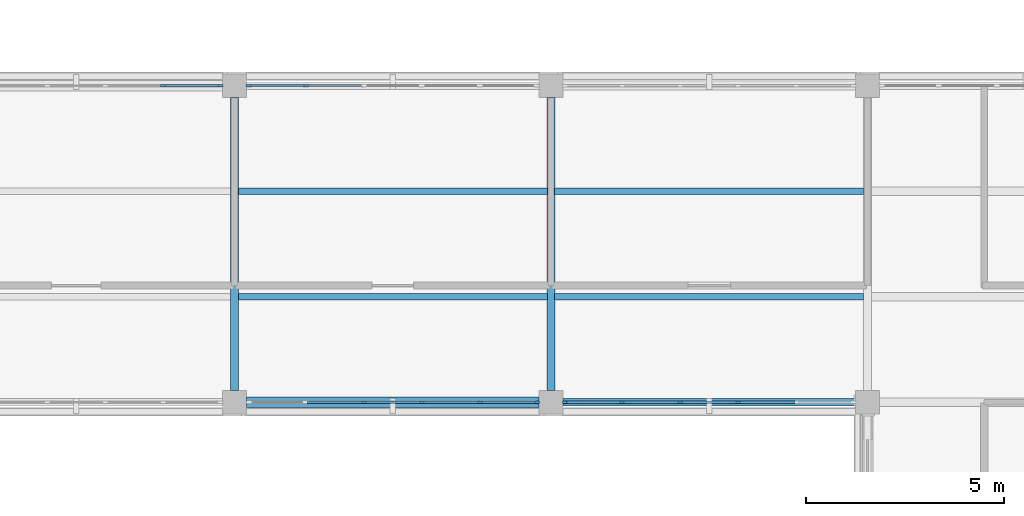
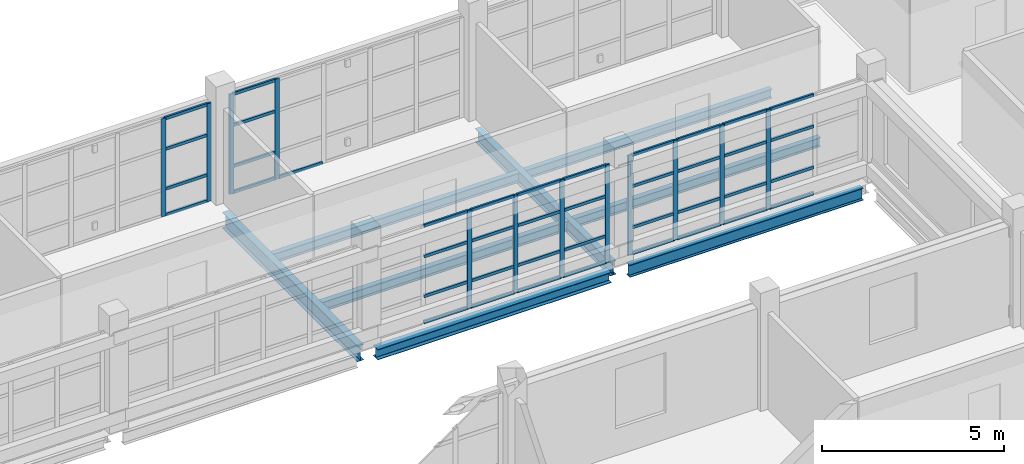
# One storey, part 53 of 126: 53 members, 8 beams, 4 elements without a shape of their own.
"""IFC4 building model written with IfcOpenShell, lengths in metres."""

import ifcopenshell
import ifcopenshell.guid

model = None  # the IFC model being written
_history = None  # IfcOwnerHistory: only IFC2X3 demands one
_inside = {}  # id of a spatial element -> (the spatial element, [elements in it])
_under = {}  # id of a project, library or spatial element -> (it, [spatial elements below it])
_declared = {}  # id of a project -> (the project, [libraries it declares])
_typed = {}  # id of a type object -> (the type object, [elements of that type])
_made_of = {}  # id of a material, layer set ... -> (it, [elements and type objects made of it])


def new_model(schema):
    """Start an empty IFC model of exactly this schema.

    Asked for "IFC4X3", IfcOpenShell would pick the latest addendum, in which some entities
    have other attributes; the version numbers below select the first issue.
    IFC2X3 requires an IfcOwnerHistory on every rooted entity: one is made here for all.
    """
    global model, _history
    if schema == "IFC4X3":
        model = ifcopenshell.file(schema_version=(4, 3, 0, 0))
    else:
        model = ifcopenshell.file(schema=schema)
    _inside.clear()
    _under.clear()
    _declared.clear()
    _typed.clear()
    _made_of.clear()
    _history = None
    if model.schema == "IFC2X3":
        org = make("IfcOrganization", Name="unknown")
        user = make(
            "IfcPersonAndOrganization",
            ThePerson=make("IfcPerson", FamilyName="unknown"),
            TheOrganization=org,
        )
        app = make(
            "IfcApplication",
            ApplicationDeveloper=org,
            Version="unknown",
            ApplicationFullName="unknown",
            ApplicationIdentifier="unknown",
        )
        _history = make(
            "IfcOwnerHistory",
            OwningUser=user,
            OwningApplication=app,
            ChangeAction="ADDED",
            CreationDate=0,
        )
    return model


def make(cls, **values):
    """One entity of the class cls with the attributes given. An attribute that is None is left unset."""
    return model.create_entity(
        cls, **{name: value for name, value in values.items() if value is not None}
    )


def rooted(cls, **values):
    """An entity with a GlobalId (a new one), such as an element, a storey or a relation."""
    return make(cls, GlobalId=ifcopenshell.guid.new(), OwnerHistory=_history, **values)


def si_unit(unit_type, name, prefix=None):
    """IfcSIUnit, for example si_unit("LENGTHUNIT", "METRE", prefix="MILLI")."""
    return make("IfcSIUnit", UnitType=unit_type, Prefix=prefix, Name=name)


def derived_unit(unit_type, elements):
    """IfcDerivedUnit: a product of units, each with its exponent."""
    return make(
        "IfcDerivedUnit",
        Elements=[
            make("IfcDerivedUnitElement", Unit=unit, Exponent=power)
            for unit, power in elements
        ],
        UnitType=unit_type,
    )


def assignment(units):
    """IfcUnitAssignment: the units of a project."""
    return None if units is None else make("IfcUnitAssignment", Units=units)


def point(xyz):
    """IfcCartesianPoint."""
    return None if xyz is None else make("IfcCartesianPoint", Coordinates=xyz)


def direction(xyz):
    """IfcDirection."""
    return None if xyz is None else make("IfcDirection", DirectionRatios=xyz)


def frame(location, z_axis=None, x_axis=None):
    """IfcAxis2Placement3D, a coordinate frame: its origin and axes. An axis left out is left unset."""
    return make(
        "IfcAxis2Placement3D",
        Location=point(location),
        Axis=direction(z_axis),
        RefDirection=direction(x_axis),
    )


def frame_2d(location, x_axis=None):
    """IfcAxis2Placement2D, a coordinate frame in the plane: its origin and x axis."""
    return make(
        "IfcAxis2Placement2D", Location=point(location), RefDirection=direction(x_axis)
    )


def origin():
    """The frame at (0, 0, 0) with its axes left unset."""
    return frame((0.0, 0.0, 0.0))


def origin_2d():
    """The frame at (0, 0) in the plane with its x axis left unset."""
    return frame_2d((0.0, 0.0))


def place(relative_to, where):
    """IfcLocalPlacement: puts the frame where relative to a parent placement (None: the world)."""
    return make(
        "IfcLocalPlacement", PlacementRelTo=relative_to, RelativePlacement=where
    )


def context(
    kind, dimensions, precision=None, world=None, true_north=None, identifier=None
):
    """IfcGeometricRepresentationContext, for example the 3D "Model" context."""
    return make(
        "IfcGeometricRepresentationContext",
        ContextIdentifier=identifier,
        ContextType=kind,
        CoordinateSpaceDimension=dimensions,
        Precision=precision,
        WorldCoordinateSystem=world,
        TrueNorth=true_north,
    )


def subcontext(parent, identifier, kind, view, scale=None):
    """IfcGeometricRepresentationSubContext, for example "Body" below "Model"."""
    return make(
        "IfcGeometricRepresentationSubContext",
        ContextIdentifier=identifier,
        ContextType=kind,
        ParentContext=parent,
        TargetScale=scale,
        TargetView=view,
    )


def project(units=None, contexts=None):
    """IfcProject with its units and contexts."""
    return rooted(
        "IfcProject",
        Name="project",
        RepresentationContexts=contexts,
        UnitsInContext=assignment(units),
    )


def spatial(cls, under=None, at=None, **own):
    """A site, building, storey or space (cls), placed at a placement, below another one or the project."""
    s = rooted(cls, ObjectPlacement=at, **own)
    if under is not None:
        _under.setdefault(under.id(), (under, []))[1].append(s)
    return s


def profile(cls, at=None, kind="AREA", **sizes):
    """A parametric profile (cls). Its sizes go by their IFC names, for example OverallWidth=200.0."""
    return make(cls, ProfileType=kind, Position=at, **sizes)


def rectangle(**sizes):
    """IfcRectangleProfileDef."""
    return profile("IfcRectangleProfileDef", **sizes)


def i_section(**sizes):
    """IfcIShapeProfileDef."""
    return profile("IfcIShapeProfileDef", **sizes)


def extrude(swept, where, along, depth):
    """IfcExtrudedAreaSolid: the profile swept, set in the frame where, extruded along a direction by depth."""
    return make(
        "IfcExtrudedAreaSolid",
        SweptArea=swept,
        Position=where,
        ExtrudedDirection=direction(along),
        Depth=depth,
    )


def shape(context_of_items, identifier, shape_type, items):
    """IfcShapeRepresentation: the items that make up one representation, for example the "Body"."""
    return make(
        "IfcShapeRepresentation",
        ContextOfItems=context_of_items,
        RepresentationIdentifier=identifier,
        RepresentationType=shape_type,
        Items=items,
    )


def material(Name=None, Category=None):
    """IfcMaterial."""
    return make("IfcMaterial", Name=Name, Category=Category)


def layer(
    of_material, thickness, ventilated=None, Name=None, Category=None, Priority=None
):
    """IfcMaterialLayer: one layer of a wall or slab, of a material (None: an air gap)."""
    return make(
        "IfcMaterialLayer",
        Material=of_material,
        LayerThickness=thickness,
        IsVentilated=ventilated,
        Name=Name,
        Category=Category,
        Priority=Priority,
    )


def layer_set(layers, Name=None):
    """IfcMaterialLayerSet."""
    return make("IfcMaterialLayerSet", MaterialLayers=layers, LayerSetName=Name)


def material_profile(
    of_material, cross_section, Name=None, Category=None, Priority=None
):
    """IfcMaterialProfile: a cross section and its material."""
    return make(
        "IfcMaterialProfile",
        Name=Name,
        Material=of_material,
        Profile=cross_section,
        Priority=Priority,
        Category=Category,
    )


def profile_set(profiles, Name=None, composite=None):
    """IfcMaterialProfileSet."""
    return make(
        "IfcMaterialProfileSet",
        Name=Name,
        MaterialProfiles=profiles,
        CompositeProfile=composite,
    )


def made_of(thing, what):
    """Note that an element or type object is made of a material, layer set ...; save() writes the relation."""
    if what is not None:
        _made_of.setdefault(what.id(), (what, []))[1].append(thing)
    return thing


def type_object(cls, material=None, **own):
    """A type object (cls), such as IfcWallType, which elements share."""
    return made_of(rooted(cls, **own), material)


def element(
    cls,
    number,
    at=None,
    inside=None,
    cuts=None,
    type_object=None,
    material=None,
    context=None,
    identifier="Body",
    shape_type=None,
    held_by="IfcProductDefinitionShape",
    body=None,
    shapes=None,
    **own,
):
    """One element of the class cls, such as IfcWall. Its Tag is "e" and its number.

    at: its placement. inside: the storey or other place that contains it. cuts: it is an
    opening in that element (IfcRelVoidsElement). A single representation is given by context,
    identifier, shape_type and body (its items); several are given by shapes. held_by: the class
    of the entity that holds the representations. save() writes the other relations.
    """
    e = rooted(cls, Tag="e%d" % number, ObjectPlacement=at, **own)
    if body is not None:
        shapes = [shape(context, identifier, shape_type, body)]
    if shapes is not None:
        e.Representation = make(held_by, Representations=shapes)
    if inside is not None:
        _inside.setdefault(inside.id(), (inside, []))[1].append(e)
    if cuts is not None:
        rooted(
            "IfcRelVoidsElement", RelatingBuildingElement=cuts, RelatedOpeningElement=e
        )
    if type_object is not None:
        _typed.setdefault(type_object.id(), (type_object, []))[1].append(e)
    return made_of(e, material)


def aggregate(whole, parts):
    """IfcRelAggregates: a whole, such as a stair, and the parts it consists of."""
    return rooted("IfcRelAggregates", RelatingObject=whole, RelatedObjects=parts)


def save(model, path):
    """Write the relations noted so far, then the file.

    IfcRelAggregates (storeys below a building ...), IfcRelContainedInSpatialStructure (elements
    in a storey), IfcRelDefinesByType, IfcRelAssociatesMaterial and IfcRelDeclares: one each for
    every whole, place, type object, material and project.
    """
    for whole, parts in _under.values():
        aggregate(whole, parts)
    for where, things in _inside.values():
        rooted(
            "IfcRelContainedInSpatialStructure",
            RelatedElements=things,
            RelatingStructure=where,
        )
    for kind, things in _typed.values():
        rooted("IfcRelDefinesByType", RelatedObjects=things, RelatingType=kind)
    for what, things in _made_of.values():
        rooted("IfcRelAssociatesMaterial", RelatedObjects=things, RelatingMaterial=what)
    for by, libraries in _declared.values():
        rooted("IfcRelDeclares", RelatingContext=by, RelatedDefinitions=libraries)
    model.write(path)


model = new_model("IFC4")

# Units and contexts
model_context = context("Model", 3, precision=1e-05, world=origin(), true_north=direction((0.0, 1.0)))
body_context = subcontext(model_context, "Body", "Model", "MODEL_VIEW")
ifc_project = project(units=[si_unit("LENGTHUNIT", "METRE"), si_unit("AREAUNIT", "SQUARE_METRE"), si_unit("VOLUMEUNIT", "CUBIC_METRE"), si_unit("PLANEANGLEUNIT", "RADIAN"), si_unit("MASSUNIT", "GRAM", prefix="KILO"), derived_unit("THERMALTRANSMITTANCEUNIT", [(si_unit("MASSUNIT", "GRAM", prefix="KILO"), 1), (si_unit("TIMEUNIT", "SECOND"), -3), (si_unit("THERMODYNAMICTEMPERATUREUNIT", "KELVIN"), -1)])], contexts=[model_context])

# Site, building, storey
site_placement = place(None, origin())
site = spatial("IfcSite", under=ifc_project, at=site_placement, CompositionType="ELEMENT")
building_placement = place(site_placement, origin())
building = spatial("IfcBuilding", under=site, at=building_placement, Name="Veyamyaing Civic Hall", CompositionType="ELEMENT")
storey_placement = place(building_placement, frame((0.0, 0.0, 9.89990234375)))
storey = spatial("IfcBuildingStorey", under=building, at=storey_placement, Name="L02", CompositionType="ELEMENT", Elevation=9.89990234375)

# Beams
ifc_material_1 = material(Name="Steel ASTM A992", Category="steel")
ifc_material_profile_1 = material_profile(ifc_material_1, i_section(OverallWidth=0.208984375, OverallDepth=0.532958984375, WebThickness=0.01025390625, FlangeThickness=0.015625, FilletRadius=0.011962890625, at=origin_2d()), Name="W530X92")
ifc_profile_set_1 = profile_set([ifc_material_profile_1], Name="Steel ASTM A992")
beam_type_1 = type_object("IfcBeamType", Name="B-07", PredefinedType="BEAM", material=ifc_profile_set_1)
beam_1_placement = place(storey_placement, frame((144.0, 48.300048828125, -0.551513671875), z_axis=(0.0, 1.0, 0.0), x_axis=(-1.0, 0.0, 0.0)))
element("IfcBeam", 1, at=beam_1_placement, inside=storey, type_object=beam_type_1, Name="Girder B-07 L02 Grid 19 G-H", PredefinedType="BEAM", context=body_context, shape_type="SweptSolid", body=[
    extrude(i_section(OverallWidth=0.208984375, OverallDepth=0.532958984375, WebThickness=0.01025390625, FlangeThickness=0.015625, FilletRadius=0.011962890625, at=origin_2d()), origin(), (0.0, 0.0, 1.0), 7.39990234375),
])
ifc_material_profile_2 = material_profile(ifc_material_1, i_section(OverallWidth=0.19189453125, OverallDepth=0.462890625, WebThickness=0.010498046875, FlangeThickness=0.017578125, FilletRadius=0.010009765625, at=origin_2d()), Name="W460X89")
ifc_profile_set_2 = profile_set([ifc_material_profile_2], Name="Steel ASTM A992")
beam_type_2 = type_object("IfcBeamType", Name="B-08", PredefinedType="BEAM", material=ifc_profile_set_2)
beam_2_placement = place(storey_placement, frame((152.0, 48.300048828125, -0.516357421875), z_axis=(0.0, 1.0, 0.0), x_axis=(-1.0, 0.0, 0.0)))
element("IfcBeam", 2, at=beam_2_placement, inside=storey, type_object=beam_type_2, Name="Girder B-08 L02 Grid 20 G-H", PredefinedType="BEAM", context=body_context, shape_type="SweptSolid", body=[
    extrude(i_section(OverallWidth=0.19189453125, OverallDepth=0.462890625, WebThickness=0.010498046875, FlangeThickness=0.017578125, FilletRadius=0.010009765625, at=origin_2d()), origin(), (0.0, 0.0, 1.0), 7.39990234375),
])
ifc_material_profile_3 = material_profile(ifc_material_1, i_section(OverallWidth=0.179931640625, OverallDepth=0.4130859375, WebThickness=0.009765625, FlangeThickness=0.01611328125, FilletRadius=0.010009765625, at=origin_2d()), Name="W410X74")
ifc_profile_set_3 = profile_set([ifc_material_profile_3], Name="Steel ASTM A992")
beam_type_3 = type_object("IfcBeamType", Name="B-10", PredefinedType="SPANDREL", material=ifc_profile_set_3)
beam_3_placement = place(storey_placement, frame((152.300048828125, 48.0, -0.491455078125), z_axis=(1.0, 0.0, 0.0), x_axis=(0.0, 1.0, 0.0)))
element("IfcBeam", 3, at=beam_3_placement, inside=storey, type_object=beam_type_3, Name="Girder B-10 L02 Grid G 20-21", PredefinedType="SPANDREL", context=body_context, shape_type="SweptSolid", body=[
    extrude(i_section(OverallWidth=0.179931640625, OverallDepth=0.4130859375, WebThickness=0.009765625, FlangeThickness=0.01611328125, FilletRadius=0.010009765625, at=origin_2d()), origin(), (0.0, 0.0, 1.0), 7.39990234375),
])
ifc_material_profile_4 = material_profile(ifc_material_1, i_section(OverallWidth=0.25390625, OverallDepth=0.35302734375, WebThickness=0.009521484375, FlangeThickness=0.016357421875, FilletRadius=0.011962890625, at=origin_2d()), Name="W360X91")
ifc_profile_set_4 = profile_set([ifc_material_profile_4], Name="Steel ASTM A992")
beam_type_4 = type_object("IfcBeamType", Name="B-20", PredefinedType="SPANDREL", material=ifc_profile_set_4)
beam_4_placement = place(storey_placement, frame((144.300048828125, 48.0, -0.46142578125), z_axis=(1.0, 0.0, 0.0), x_axis=(0.0, 1.0, 0.0)))
element("IfcBeam", 4, at=beam_4_placement, inside=storey, type_object=beam_type_4, Name="Girder B-20 L02 Grid G 19-20", PredefinedType="SPANDREL", context=body_context, shape_type="SweptSolid", body=[
    extrude(i_section(OverallWidth=0.25390625, OverallDepth=0.35302734375, WebThickness=0.009521484375, FlangeThickness=0.016357421875, FilletRadius=0.011962890625, at=origin_2d()), origin(), (0.0, 0.0, 1.0), 7.39990234375),
])

# Curtain wall, members
ifc_material_2 = material(Name="Anodised aluminium 6063-T6", Category="aluminium")
ifc_layer = layer(ifc_material_2, 0.139892578125, Name="Anodised aluminium 6063-T6")
ifc_layer_set = layer_set([ifc_layer], Name="Anodised aluminium 6063-T6")
curtain_wall_type = type_object("IfcCurtainWallType", Name="CW-04", PredefinedType="NOTDEFINED", material=ifc_layer_set)
curtain_wall_1_placement = place(storey_placement, origin())
curtain_wall_1 = element("IfcCurtainWall", 5, at=curtain_wall_1_placement, inside=storey, type_object=curtain_wall_type, Name="Unitized curtain wall CW-04 L02 N 18.7", PredefinedType="NOTDEFINED")
ifc_material_profile_5 = material_profile(ifc_material_2, rectangle(XDim=0.06005859375, YDim=0.139892578125, at=origin_2d()), Name="ALU-MUL-60X140")
ifc_profile_set_5 = profile_set([ifc_material_profile_5], Name="Anodised aluminium 6063-T6")
member_type_1 = type_object("IfcMemberType", Name="CWM-03", PredefinedType="MULLION", material=ifc_profile_set_5)
member_1_placement = place(storey_placement, frame((142.201904296875, 56.0, 0.0), z_axis=(0.0, 0.0, 1.0), x_axis=(0.0, 1.0, 0.0)))
member_1 = element("IfcMember", 6, at=member_1_placement, type_object=member_type_1, Name="CW-04 mullion 5", PredefinedType="MULLION", context=body_context, shape_type="SweptSolid", body=[
    extrude(rectangle(XDim=0.06005859375, YDim=0.139892578125, at=origin_2d()), origin(), (0.0, 0.0, 1.0), 3.2841796875),
])
member_2_placement = place(storey_placement, frame((143.639892578125, 56.0, 0.0), z_axis=(0.0, 0.0, 1.0), x_axis=(0.0, 1.0, 0.0)))
member_2 = element("IfcMember", 7, at=member_2_placement, type_object=member_type_1, Name="CW-04 mullion 6", PredefinedType="MULLION", context=body_context, shape_type="SweptSolid", body=[
    extrude(rectangle(XDim=0.06005859375, YDim=0.139892578125, at=origin_2d()), origin(), (0.0, 0.0, 1.0), 3.2841796875),
])

curtain_wall_2_placement = place(storey_placement, origin())
curtain_wall_2 = element("IfcCurtainWall", 8, at=curtain_wall_2_placement, inside=storey, type_object=curtain_wall_type, Name="Unitized curtain wall CW-04 L02 S 19.7", PredefinedType="NOTDEFINED")
member_3_placement = place(storey_placement, frame((147.26611328125, 48.0, 0.0), z_axis=(0.0, 0.0, 1.0), x_axis=(0.0, 1.0, 0.0)))
member_3 = element("IfcMember", 9, at=member_3_placement, type_object=member_type_1, Name="CW-04 mullion 3", PredefinedType="MULLION", context=body_context, shape_type="SweptSolid", body=[
    extrude(rectangle(XDim=0.06005859375, YDim=0.139892578125, at=origin_2d()), origin(), (0.0, 0.0, 1.0), 3.2841796875),
])
member_4_placement = place(storey_placement, frame((148.73388671875, 48.0, 0.0), z_axis=(0.0, 0.0, 1.0), x_axis=(0.0, 1.0, 0.0)))
member_4 = element("IfcMember", 10, at=member_4_placement, type_object=member_type_1, Name="CW-04 mullion 4", PredefinedType="MULLION", context=body_context, shape_type="SweptSolid", body=[
    extrude(rectangle(XDim=0.06005859375, YDim=0.139892578125, at=origin_2d()), origin(), (0.0, 0.0, 1.0), 3.2841796875),
])
member_5_placement = place(storey_placement, frame((150.201904296875, 48.0, 0.0), z_axis=(0.0, 0.0, 1.0), x_axis=(0.0, 1.0, 0.0)))
member_5 = element("IfcMember", 11, at=member_5_placement, type_object=member_type_1, Name="CW-04 mullion 5", PredefinedType="MULLION", context=body_context, shape_type="SweptSolid", body=[
    extrude(rectangle(XDim=0.06005859375, YDim=0.139892578125, at=origin_2d()), origin(), (0.0, 0.0, 1.0), 3.2841796875),
])
member_6_placement = place(storey_placement, frame((151.639892578125, 48.0, 0.0), z_axis=(0.0, 0.0, 1.0), x_axis=(0.0, 1.0, 0.0)))
member_6 = element("IfcMember", 12, at=member_6_placement, type_object=member_type_1, Name="CW-04 mullion 6", PredefinedType="MULLION", context=body_context, shape_type="SweptSolid", body=[
    extrude(rectangle(XDim=0.06005859375, YDim=0.139892578125, at=origin_2d()), origin(), (0.0, 0.0, 1.0), 3.2841796875),
])

curtain_wall_3_placement = place(storey_placement, origin())
curtain_wall_3 = element("IfcCurtainWall", 13, at=curtain_wall_3_placement, inside=storey, type_object=curtain_wall_type, Name="Unitized curtain wall CW-04 L02 N 19.7", PredefinedType="NOTDEFINED")
member_7_placement = place(storey_placement, frame((144.360107421875, 56.0, 0.0), z_axis=(0.0, 0.0, 1.0), x_axis=(0.0, 1.0, 0.0)))
member_7 = element("IfcMember", 14, at=member_7_placement, type_object=member_type_1, Name="CW-04 mullion 1", PredefinedType="MULLION", context=body_context, shape_type="SweptSolid", body=[
    extrude(rectangle(XDim=0.06005859375, YDim=0.139892578125, at=origin_2d()), origin(), (0.0, 0.0, 1.0), 3.34716796875),
])
member_8_placement = place(storey_placement, frame((145.798095703125, 56.0, 0.0), z_axis=(0.0, 0.0, 1.0), x_axis=(0.0, 1.0, 0.0)))
member_8 = element("IfcMember", 15, at=member_8_placement, type_object=member_type_1, Name="CW-04 mullion 2", PredefinedType="MULLION", context=body_context, shape_type="SweptSolid", body=[
    extrude(rectangle(XDim=0.06005859375, YDim=0.139892578125, at=origin_2d()), origin(), (0.0, 0.0, 1.0), 3.34716796875),
])

curtain_wall_4_placement = place(storey_placement, origin())
curtain_wall_4 = element("IfcCurtainWall", 16, at=curtain_wall_4_placement, inside=storey, type_object=curtain_wall_type, Name="Unitized curtain wall CW-04 L02 S 20.7", PredefinedType="NOTDEFINED")
member_9_placement = place(storey_placement, frame((152.360107421875, 48.0, 0.0), z_axis=(0.0, 0.0, 1.0), x_axis=(0.0, 1.0, 0.0)))
member_9 = element("IfcMember", 17, at=member_9_placement, type_object=member_type_1, Name="CW-04 mullion 1", PredefinedType="MULLION", context=body_context, shape_type="SweptSolid", body=[
    extrude(rectangle(XDim=0.06005859375, YDim=0.139892578125, at=origin_2d()), origin(), (0.0, 0.0, 1.0), 3.34716796875),
])
member_10_placement = place(storey_placement, frame((153.798095703125, 48.0, 0.0), z_axis=(0.0, 0.0, 1.0), x_axis=(0.0, 1.0, 0.0)))
member_10 = element("IfcMember", 18, at=member_10_placement, type_object=member_type_1, Name="CW-04 mullion 2", PredefinedType="MULLION", context=body_context, shape_type="SweptSolid", body=[
    extrude(rectangle(XDim=0.06005859375, YDim=0.139892578125, at=origin_2d()), origin(), (0.0, 0.0, 1.0), 3.34716796875),
])
member_11_placement = place(storey_placement, frame((155.26611328125, 48.0, 0.0), z_axis=(0.0, 0.0, 1.0), x_axis=(0.0, 1.0, 0.0)))
member_11 = element("IfcMember", 19, at=member_11_placement, type_object=member_type_1, Name="CW-04 mullion 3", PredefinedType="MULLION", context=body_context, shape_type="SweptSolid", body=[
    extrude(rectangle(XDim=0.06005859375, YDim=0.139892578125, at=origin_2d()), origin(), (0.0, 0.0, 1.0), 3.34716796875),
])
member_12_placement = place(storey_placement, frame((156.73388671875, 48.0, 0.0), z_axis=(0.0, 0.0, 1.0), x_axis=(0.0, 1.0, 0.0)))
member_12 = element("IfcMember", 20, at=member_12_placement, type_object=member_type_1, Name="CW-04 mullion 4", PredefinedType="MULLION", context=body_context, shape_type="SweptSolid", body=[
    extrude(rectangle(XDim=0.06005859375, YDim=0.139892578125, at=origin_2d()), origin(), (0.0, 0.0, 1.0), 3.34716796875),
])

# Member
ifc_material_profile_6 = material_profile(ifc_material_2, rectangle(XDim=0.06005859375, YDim=0.10009765625, at=origin_2d()), Name="ALU-TRN-60X100")
ifc_profile_set_6 = profile_set([ifc_material_profile_6], Name="Anodised aluminium 6063-T6")
member_type_2 = type_object("IfcMemberType", Name="CWT-03", PredefinedType="USERDEFINED", material=ifc_profile_set_6)
member_13_placement = place(storey_placement, frame((142.23193359375, 56.0, 0.030029296875), z_axis=(1.0, 0.0, 0.0), x_axis=(0.0, 1.0, 0.0)))
member_13 = element("IfcMember", 21, at=member_13_placement, type_object=member_type_2, Name="CW-04 transom 5.1", ObjectType="TRANSOM", PredefinedType="USERDEFINED", context=body_context, shape_type="SweptSolid", body=[
    extrude(rectangle(XDim=0.06005859375, YDim=0.10009765625, at=origin_2d()), origin(), (0.0, 0.0, 1.0), 1.378173828125),
])

member_14_placement = place(storey_placement, frame((142.23193359375, 56.0, 0.900146484375), z_axis=(1.0, 0.0, 0.0), x_axis=(0.0, 1.0, 0.0)))
member_14 = element("IfcMember", 22, at=member_14_placement, type_object=member_type_2, Name="CW-04 transom 5.2", ObjectType="TRANSOM", PredefinedType="USERDEFINED", context=body_context, shape_type="SweptSolid", body=[
    extrude(rectangle(XDim=0.06005859375, YDim=0.10009765625, at=origin_2d()), origin(), (0.0, 0.0, 1.0), 1.378173828125),
])

member_15_placement = place(storey_placement, frame((142.23193359375, 56.0, 2.233154296875), z_axis=(1.0, 0.0, 0.0), x_axis=(0.0, 1.0, 0.0)))
member_15 = element("IfcMember", 23, at=member_15_placement, type_object=member_type_2, Name="CW-04 transom 5.3", ObjectType="TRANSOM", PredefinedType="USERDEFINED", context=body_context, shape_type="SweptSolid", body=[
    extrude(rectangle(XDim=0.06005859375, YDim=0.10009765625, at=origin_2d()), origin(), (0.0, 0.0, 1.0), 1.378173828125),
])

member_16_placement = place(storey_placement, frame((142.23193359375, 56.0, 3.254150390625), z_axis=(1.0, 0.0, 0.0), x_axis=(0.0, 1.0, 0.0)))
member_16 = element("IfcMember", 24, at=member_16_placement, type_object=member_type_2, Name="CW-04 transom 5.4", ObjectType="TRANSOM", PredefinedType="USERDEFINED", context=body_context, shape_type="SweptSolid", body=[
    extrude(rectangle(XDim=0.06005859375, YDim=0.10009765625, at=origin_2d()), origin(), (0.0, 0.0, 1.0), 1.378173828125),
])

aggregate(curtain_wall_1, [member_1, member_2, member_13, member_14, member_15, member_16])

member_17_placement = place(storey_placement, frame((145.827880859375, 48.0, 0.030029296875), z_axis=(1.0, 0.0, 0.0), x_axis=(0.0, 1.0, 0.0)))
member_17 = element("IfcMember", 25, at=member_17_placement, type_object=member_type_2, Name="CW-04 transom 2.1", ObjectType="TRANSOM", PredefinedType="USERDEFINED", context=body_context, shape_type="SweptSolid", body=[
    extrude(rectangle(XDim=0.06005859375, YDim=0.10009765625, at=origin_2d()), origin(), (0.0, 0.0, 1.0), 1.408203125),
])

member_18_placement = place(storey_placement, frame((145.827880859375, 48.0, 0.900146484375), z_axis=(1.0, 0.0, 0.0), x_axis=(0.0, 1.0, 0.0)))
member_18 = element("IfcMember", 26, at=member_18_placement, type_object=member_type_2, Name="CW-04 transom 2.2", ObjectType="TRANSOM", PredefinedType="USERDEFINED", context=body_context, shape_type="SweptSolid", body=[
    extrude(rectangle(XDim=0.06005859375, YDim=0.10009765625, at=origin_2d()), origin(), (0.0, 0.0, 1.0), 1.408203125),
])

member_19_placement = place(storey_placement, frame((145.827880859375, 48.0, 2.233154296875), z_axis=(1.0, 0.0, 0.0), x_axis=(0.0, 1.0, 0.0)))
member_19 = element("IfcMember", 27, at=member_19_placement, type_object=member_type_2, Name="CW-04 transom 2.3", ObjectType="TRANSOM", PredefinedType="USERDEFINED", context=body_context, shape_type="SweptSolid", body=[
    extrude(rectangle(XDim=0.06005859375, YDim=0.10009765625, at=origin_2d()), origin(), (0.0, 0.0, 1.0), 1.408203125),
])

member_20_placement = place(storey_placement, frame((145.827880859375, 48.0, 3.254150390625), z_axis=(1.0, 0.0, 0.0), x_axis=(0.0, 1.0, 0.0)))
member_20 = element("IfcMember", 28, at=member_20_placement, type_object=member_type_2, Name="CW-04 transom 2.4", ObjectType="TRANSOM", PredefinedType="USERDEFINED", context=body_context, shape_type="SweptSolid", body=[
    extrude(rectangle(XDim=0.06005859375, YDim=0.10009765625, at=origin_2d()), origin(), (0.0, 0.0, 1.0), 1.408203125),
])

member_21_placement = place(storey_placement, frame((147.2958984375, 48.0, 0.030029296875), z_axis=(1.0, 0.0, 0.0), x_axis=(0.0, 1.0, 0.0)))
member_21 = element("IfcMember", 29, at=member_21_placement, type_object=member_type_2, Name="CW-04 transom 3.1", ObjectType="TRANSOM", PredefinedType="USERDEFINED", context=body_context, shape_type="SweptSolid", body=[
    extrude(rectangle(XDim=0.06005859375, YDim=0.10009765625, at=origin_2d()), origin(), (0.0, 0.0, 1.0), 1.408203125),
])

member_22_placement = place(storey_placement, frame((147.2958984375, 48.0, 0.900146484375), z_axis=(1.0, 0.0, 0.0), x_axis=(0.0, 1.0, 0.0)))
member_22 = element("IfcMember", 30, at=member_22_placement, type_object=member_type_2, Name="CW-04 transom 3.2", ObjectType="TRANSOM", PredefinedType="USERDEFINED", context=body_context, shape_type="SweptSolid", body=[
    extrude(rectangle(XDim=0.06005859375, YDim=0.10009765625, at=origin_2d()), origin(), (0.0, 0.0, 1.0), 1.408203125),
])

member_23_placement = place(storey_placement, frame((147.2958984375, 48.0, 2.233154296875), z_axis=(1.0, 0.0, 0.0), x_axis=(0.0, 1.0, 0.0)))
member_23 = element("IfcMember", 31, at=member_23_placement, type_object=member_type_2, Name="CW-04 transom 3.3", ObjectType="TRANSOM", PredefinedType="USERDEFINED", context=body_context, shape_type="SweptSolid", body=[
    extrude(rectangle(XDim=0.06005859375, YDim=0.10009765625, at=origin_2d()), origin(), (0.0, 0.0, 1.0), 1.408203125),
])

member_24_placement = place(storey_placement, frame((147.2958984375, 48.0, 3.254150390625), z_axis=(1.0, 0.0, 0.0), x_axis=(0.0, 1.0, 0.0)))
member_24 = element("IfcMember", 32, at=member_24_placement, type_object=member_type_2, Name="CW-04 transom 3.4", ObjectType="TRANSOM", PredefinedType="USERDEFINED", context=body_context, shape_type="SweptSolid", body=[
    extrude(rectangle(XDim=0.06005859375, YDim=0.10009765625, at=origin_2d()), origin(), (0.0, 0.0, 1.0), 1.408203125),
])

member_25_placement = place(storey_placement, frame((148.763916015625, 48.0, 0.030029296875), z_axis=(1.0, 0.0, 0.0), x_axis=(0.0, 1.0, 0.0)))
member_25 = element("IfcMember", 33, at=member_25_placement, type_object=member_type_2, Name="CW-04 transom 4.1", ObjectType="TRANSOM", PredefinedType="USERDEFINED", context=body_context, shape_type="SweptSolid", body=[
    extrude(rectangle(XDim=0.06005859375, YDim=0.10009765625, at=origin_2d()), origin(), (0.0, 0.0, 1.0), 1.408203125),
])

member_26_placement = place(storey_placement, frame((148.763916015625, 48.0, 0.900146484375), z_axis=(1.0, 0.0, 0.0), x_axis=(0.0, 1.0, 0.0)))
member_26 = element("IfcMember", 34, at=member_26_placement, type_object=member_type_2, Name="CW-04 transom 4.2", ObjectType="TRANSOM", PredefinedType="USERDEFINED", context=body_context, shape_type="SweptSolid", body=[
    extrude(rectangle(XDim=0.06005859375, YDim=0.10009765625, at=origin_2d()), origin(), (0.0, 0.0, 1.0), 1.408203125),
])

member_27_placement = place(storey_placement, frame((148.763916015625, 48.0, 2.233154296875), z_axis=(1.0, 0.0, 0.0), x_axis=(0.0, 1.0, 0.0)))
member_27 = element("IfcMember", 35, at=member_27_placement, type_object=member_type_2, Name="CW-04 transom 4.3", ObjectType="TRANSOM", PredefinedType="USERDEFINED", context=body_context, shape_type="SweptSolid", body=[
    extrude(rectangle(XDim=0.06005859375, YDim=0.10009765625, at=origin_2d()), origin(), (0.0, 0.0, 1.0), 1.408203125),
])

member_28_placement = place(storey_placement, frame((148.763916015625, 48.0, 3.254150390625), z_axis=(1.0, 0.0, 0.0), x_axis=(0.0, 1.0, 0.0)))
member_28 = element("IfcMember", 36, at=member_28_placement, type_object=member_type_2, Name="CW-04 transom 4.4", ObjectType="TRANSOM", PredefinedType="USERDEFINED", context=body_context, shape_type="SweptSolid", body=[
    extrude(rectangle(XDim=0.06005859375, YDim=0.10009765625, at=origin_2d()), origin(), (0.0, 0.0, 1.0), 1.408203125),
])

member_29_placement = place(storey_placement, frame((150.23193359375, 48.0, 0.030029296875), z_axis=(1.0, 0.0, 0.0), x_axis=(0.0, 1.0, 0.0)))
member_29 = element("IfcMember", 37, at=member_29_placement, type_object=member_type_2, Name="CW-04 transom 5.1", ObjectType="TRANSOM", PredefinedType="USERDEFINED", context=body_context, shape_type="SweptSolid", body=[
    extrude(rectangle(XDim=0.06005859375, YDim=0.10009765625, at=origin_2d()), origin(), (0.0, 0.0, 1.0), 1.378173828125),
])

member_30_placement = place(storey_placement, frame((150.23193359375, 48.0, 0.900146484375), z_axis=(1.0, 0.0, 0.0), x_axis=(0.0, 1.0, 0.0)))
member_30 = element("IfcMember", 38, at=member_30_placement, type_object=member_type_2, Name="CW-04 transom 5.2", ObjectType="TRANSOM", PredefinedType="USERDEFINED", context=body_context, shape_type="SweptSolid", body=[
    extrude(rectangle(XDim=0.06005859375, YDim=0.10009765625, at=origin_2d()), origin(), (0.0, 0.0, 1.0), 1.378173828125),
])

member_31_placement = place(storey_placement, frame((150.23193359375, 48.0, 2.233154296875), z_axis=(1.0, 0.0, 0.0), x_axis=(0.0, 1.0, 0.0)))
member_31 = element("IfcMember", 39, at=member_31_placement, type_object=member_type_2, Name="CW-04 transom 5.3", ObjectType="TRANSOM", PredefinedType="USERDEFINED", context=body_context, shape_type="SweptSolid", body=[
    extrude(rectangle(XDim=0.06005859375, YDim=0.10009765625, at=origin_2d()), origin(), (0.0, 0.0, 1.0), 1.378173828125),
])

member_32_placement = place(storey_placement, frame((150.23193359375, 48.0, 3.254150390625), z_axis=(1.0, 0.0, 0.0), x_axis=(0.0, 1.0, 0.0)))
member_32 = element("IfcMember", 40, at=member_32_placement, type_object=member_type_2, Name="CW-04 transom 5.4", ObjectType="TRANSOM", PredefinedType="USERDEFINED", context=body_context, shape_type="SweptSolid", body=[
    extrude(rectangle(XDim=0.06005859375, YDim=0.10009765625, at=origin_2d()), origin(), (0.0, 0.0, 1.0), 1.378173828125),
])

aggregate(curtain_wall_2, [member_3, member_4, member_5, member_6, member_17, member_18, member_19, member_20, member_21, member_22, member_23, member_24, member_25, member_26, member_27, member_28, member_29, member_30, member_31, member_32])

member_33_placement = place(storey_placement, frame((144.389892578125, 56.0, 0.030029296875), z_axis=(1.0, 0.0, 0.0), x_axis=(0.0, 1.0, 0.0)))
member_33 = element("IfcMember", 41, at=member_33_placement, type_object=member_type_2, Name="CW-04 transom 1.1", ObjectType="TRANSOM", PredefinedType="USERDEFINED", context=body_context, shape_type="SweptSolid", body=[
    extrude(rectangle(XDim=0.06005859375, YDim=0.10009765625, at=origin_2d()), origin(), (0.0, 0.0, 1.0), 1.378173828125),
])

member_34_placement = place(storey_placement, frame((144.389892578125, 56.0, 0.900146484375), z_axis=(1.0, 0.0, 0.0), x_axis=(0.0, 1.0, 0.0)))
member_34 = element("IfcMember", 42, at=member_34_placement, type_object=member_type_2, Name="CW-04 transom 1.2", ObjectType="TRANSOM", PredefinedType="USERDEFINED", context=body_context, shape_type="SweptSolid", body=[
    extrude(rectangle(XDim=0.06005859375, YDim=0.10009765625, at=origin_2d()), origin(), (0.0, 0.0, 1.0), 1.378173828125),
])

member_35_placement = place(storey_placement, frame((144.389892578125, 56.0, 2.276123046875), z_axis=(1.0, 0.0, 0.0), x_axis=(0.0, 1.0, 0.0)))
member_35 = element("IfcMember", 43, at=member_35_placement, type_object=member_type_2, Name="CW-04 transom 1.3", ObjectType="TRANSOM", PredefinedType="USERDEFINED", context=body_context, shape_type="SweptSolid", body=[
    extrude(rectangle(XDim=0.06005859375, YDim=0.10009765625, at=origin_2d()), origin(), (0.0, 0.0, 1.0), 1.378173828125),
])

member_36_placement = place(storey_placement, frame((144.389892578125, 56.0, 3.317138671875), z_axis=(1.0, 0.0, 0.0), x_axis=(0.0, 1.0, 0.0)))
member_36 = element("IfcMember", 44, at=member_36_placement, type_object=member_type_2, Name="CW-04 transom 1.4", ObjectType="TRANSOM", PredefinedType="USERDEFINED", context=body_context, shape_type="SweptSolid", body=[
    extrude(rectangle(XDim=0.06005859375, YDim=0.10009765625, at=origin_2d()), origin(), (0.0, 0.0, 1.0), 1.378173828125),
])

member_37_placement = place(storey_placement, frame((145.827880859375, 56.0, 0.030029296875), z_axis=(1.0, 0.0, 0.0), x_axis=(0.0, 1.0, 0.0)))
member_37 = element("IfcMember", 45, at=member_37_placement, type_object=member_type_2, Name="CW-04 transom 2.1", ObjectType="TRANSOM", PredefinedType="USERDEFINED", context=body_context, shape_type="SweptSolid", body=[
    extrude(rectangle(XDim=0.06005859375, YDim=0.10009765625, at=origin_2d()), origin(), (0.0, 0.0, 1.0), 1.408203125),
])

aggregate(curtain_wall_3, [member_7, member_8, member_33, member_34, member_35, member_36, member_37])

member_38_placement = place(storey_placement, frame((152.389892578125, 48.0, 0.030029296875), z_axis=(1.0, 0.0, 0.0), x_axis=(0.0, 1.0, 0.0)))
member_38 = element("IfcMember", 46, at=member_38_placement, type_object=member_type_2, Name="CW-04 transom 1.1", ObjectType="TRANSOM", PredefinedType="USERDEFINED", context=body_context, shape_type="SweptSolid", body=[
    extrude(rectangle(XDim=0.06005859375, YDim=0.10009765625, at=origin_2d()), origin(), (0.0, 0.0, 1.0), 1.378173828125),
])

member_39_placement = place(storey_placement, frame((152.389892578125, 48.0, 0.900146484375), z_axis=(1.0, 0.0, 0.0), x_axis=(0.0, 1.0, 0.0)))
member_39 = element("IfcMember", 47, at=member_39_placement, type_object=member_type_2, Name="CW-04 transom 1.2", ObjectType="TRANSOM", PredefinedType="USERDEFINED", context=body_context, shape_type="SweptSolid", body=[
    extrude(rectangle(XDim=0.06005859375, YDim=0.10009765625, at=origin_2d()), origin(), (0.0, 0.0, 1.0), 1.378173828125),
])

member_40_placement = place(storey_placement, frame((152.389892578125, 48.0, 2.276123046875), z_axis=(1.0, 0.0, 0.0), x_axis=(0.0, 1.0, 0.0)))
member_40 = element("IfcMember", 48, at=member_40_placement, type_object=member_type_2, Name="CW-04 transom 1.3", ObjectType="TRANSOM", PredefinedType="USERDEFINED", context=body_context, shape_type="SweptSolid", body=[
    extrude(rectangle(XDim=0.06005859375, YDim=0.10009765625, at=origin_2d()), origin(), (0.0, 0.0, 1.0), 1.378173828125),
])

member_41_placement = place(storey_placement, frame((152.389892578125, 48.0, 3.317138671875), z_axis=(1.0, 0.0, 0.0), x_axis=(0.0, 1.0, 0.0)))
member_41 = element("IfcMember", 49, at=member_41_placement, type_object=member_type_2, Name="CW-04 transom 1.4", ObjectType="TRANSOM", PredefinedType="USERDEFINED", context=body_context, shape_type="SweptSolid", body=[
    extrude(rectangle(XDim=0.06005859375, YDim=0.10009765625, at=origin_2d()), origin(), (0.0, 0.0, 1.0), 1.378173828125),
])

member_42_placement = place(storey_placement, frame((153.827880859375, 48.0, 0.030029296875), z_axis=(1.0, 0.0, 0.0), x_axis=(0.0, 1.0, 0.0)))
member_42 = element("IfcMember", 50, at=member_42_placement, type_object=member_type_2, Name="CW-04 transom 2.1", ObjectType="TRANSOM", PredefinedType="USERDEFINED", context=body_context, shape_type="SweptSolid", body=[
    extrude(rectangle(XDim=0.06005859375, YDim=0.10009765625, at=origin_2d()), origin(), (0.0, 0.0, 1.0), 1.408203125),
])

member_43_placement = place(storey_placement, frame((153.827880859375, 48.0, 0.900146484375), z_axis=(1.0, 0.0, 0.0), x_axis=(0.0, 1.0, 0.0)))
member_43 = element("IfcMember", 51, at=member_43_placement, type_object=member_type_2, Name="CW-04 transom 2.2", ObjectType="TRANSOM", PredefinedType="USERDEFINED", context=body_context, shape_type="SweptSolid", body=[
    extrude(rectangle(XDim=0.06005859375, YDim=0.10009765625, at=origin_2d()), origin(), (0.0, 0.0, 1.0), 1.408203125),
])

member_44_placement = place(storey_placement, frame((153.827880859375, 48.0, 2.276123046875), z_axis=(1.0, 0.0, 0.0), x_axis=(0.0, 1.0, 0.0)))
member_44 = element("IfcMember", 52, at=member_44_placement, type_object=member_type_2, Name="CW-04 transom 2.3", ObjectType="TRANSOM", PredefinedType="USERDEFINED", context=body_context, shape_type="SweptSolid", body=[
    extrude(rectangle(XDim=0.06005859375, YDim=0.10009765625, at=origin_2d()), origin(), (0.0, 0.0, 1.0), 1.408203125),
])

member_45_placement = place(storey_placement, frame((153.827880859375, 48.0, 3.317138671875), z_axis=(1.0, 0.0, 0.0), x_axis=(0.0, 1.0, 0.0)))
member_45 = element("IfcMember", 53, at=member_45_placement, type_object=member_type_2, Name="CW-04 transom 2.4", ObjectType="TRANSOM", PredefinedType="USERDEFINED", context=body_context, shape_type="SweptSolid", body=[
    extrude(rectangle(XDim=0.06005859375, YDim=0.10009765625, at=origin_2d()), origin(), (0.0, 0.0, 1.0), 1.408203125),
])

member_46_placement = place(storey_placement, frame((155.2958984375, 48.0, 0.030029296875), z_axis=(1.0, 0.0, 0.0), x_axis=(0.0, 1.0, 0.0)))
member_46 = element("IfcMember", 54, at=member_46_placement, type_object=member_type_2, Name="CW-04 transom 3.1", ObjectType="TRANSOM", PredefinedType="USERDEFINED", context=body_context, shape_type="SweptSolid", body=[
    extrude(rectangle(XDim=0.06005859375, YDim=0.10009765625, at=origin_2d()), origin(), (0.0, 0.0, 1.0), 1.408203125),
])

member_47_placement = place(storey_placement, frame((155.2958984375, 48.0, 0.900146484375), z_axis=(1.0, 0.0, 0.0), x_axis=(0.0, 1.0, 0.0)))
member_47 = element("IfcMember", 55, at=member_47_placement, type_object=member_type_2, Name="CW-04 transom 3.2", ObjectType="TRANSOM", PredefinedType="USERDEFINED", context=body_context, shape_type="SweptSolid", body=[
    extrude(rectangle(XDim=0.06005859375, YDim=0.10009765625, at=origin_2d()), origin(), (0.0, 0.0, 1.0), 1.408203125),
])

member_48_placement = place(storey_placement, frame((155.2958984375, 48.0, 2.276123046875), z_axis=(1.0, 0.0, 0.0), x_axis=(0.0, 1.0, 0.0)))
member_48 = element("IfcMember", 56, at=member_48_placement, type_object=member_type_2, Name="CW-04 transom 3.3", ObjectType="TRANSOM", PredefinedType="USERDEFINED", context=body_context, shape_type="SweptSolid", body=[
    extrude(rectangle(XDim=0.06005859375, YDim=0.10009765625, at=origin_2d()), origin(), (0.0, 0.0, 1.0), 1.408203125),
])

member_49_placement = place(storey_placement, frame((155.2958984375, 48.0, 3.317138671875), z_axis=(1.0, 0.0, 0.0), x_axis=(0.0, 1.0, 0.0)))
member_49 = element("IfcMember", 57, at=member_49_placement, type_object=member_type_2, Name="CW-04 transom 3.4", ObjectType="TRANSOM", PredefinedType="USERDEFINED", context=body_context, shape_type="SweptSolid", body=[
    extrude(rectangle(XDim=0.06005859375, YDim=0.10009765625, at=origin_2d()), origin(), (0.0, 0.0, 1.0), 1.408203125),
])

member_50_placement = place(storey_placement, frame((156.763916015625, 48.0, 0.030029296875), z_axis=(1.0, 0.0, 0.0), x_axis=(0.0, 1.0, 0.0)))
member_50 = element("IfcMember", 58, at=member_50_placement, type_object=member_type_2, Name="CW-04 transom 4.1", ObjectType="TRANSOM", PredefinedType="USERDEFINED", context=body_context, shape_type="SweptSolid", body=[
    extrude(rectangle(XDim=0.06005859375, YDim=0.10009765625, at=origin_2d()), origin(), (0.0, 0.0, 1.0), 1.408203125),
])

member_51_placement = place(storey_placement, frame((156.763916015625, 48.0, 0.900146484375), z_axis=(1.0, 0.0, 0.0), x_axis=(0.0, 1.0, 0.0)))
member_51 = element("IfcMember", 59, at=member_51_placement, type_object=member_type_2, Name="CW-04 transom 4.2", ObjectType="TRANSOM", PredefinedType="USERDEFINED", context=body_context, shape_type="SweptSolid", body=[
    extrude(rectangle(XDim=0.06005859375, YDim=0.10009765625, at=origin_2d()), origin(), (0.0, 0.0, 1.0), 1.408203125),
])

member_52_placement = place(storey_placement, frame((156.763916015625, 48.0, 2.276123046875), z_axis=(1.0, 0.0, 0.0), x_axis=(0.0, 1.0, 0.0)))
member_52 = element("IfcMember", 60, at=member_52_placement, type_object=member_type_2, Name="CW-04 transom 4.3", ObjectType="TRANSOM", PredefinedType="USERDEFINED", context=body_context, shape_type="SweptSolid", body=[
    extrude(rectangle(XDim=0.06005859375, YDim=0.10009765625, at=origin_2d()), origin(), (0.0, 0.0, 1.0), 1.408203125),
])

member_53_placement = place(storey_placement, frame((156.763916015625, 48.0, 3.317138671875), z_axis=(1.0, 0.0, 0.0), x_axis=(0.0, 1.0, 0.0)))
member_53 = element("IfcMember", 61, at=member_53_placement, type_object=member_type_2, Name="CW-04 transom 4.4", ObjectType="TRANSOM", PredefinedType="USERDEFINED", context=body_context, shape_type="SweptSolid", body=[
    extrude(rectangle(XDim=0.06005859375, YDim=0.10009765625, at=origin_2d()), origin(), (0.0, 0.0, 1.0), 1.408203125),
])

aggregate(curtain_wall_4, [member_9, member_10, member_11, member_12, member_38, member_39, member_40, member_41, member_42, member_43, member_44, member_45, member_46, member_47, member_48, member_49, member_50, member_51, member_52, member_53])

# Beams
ifc_material_profile_7 = material_profile(ifc_material_1, i_section(OverallWidth=0.1669921875, OverallDepth=0.318115234375, WebThickness=0.007568359375, FlangeThickness=0.01318359375, FilletRadius=0.010009765625, at=origin_2d()), Name="W310X52")
ifc_profile_set_7 = profile_set([ifc_material_profile_7], Name="Steel ASTM A992")
beam_type_5 = type_object("IfcBeamType", Name="J-04", PredefinedType="JOIST", material=ifc_profile_set_7)
for number, where, z_axis, x_axis, name in (
    (62, (144.1025390625, 50.666748046875, -0.44384765625), (1.0, 0.0, 0.0), (0.0, 1.0, 0.0), "Composite floor joist J-04 L02 19.7.1"),
    (63, (144.1025390625, 53.333251953125, -0.44384765625), (1.0, 0.0, 0.0), (0.0, 1.0, 0.0), "Composite floor joist J-04 L02 19.7.2"),
):
    element("IfcBeam", number, at=place(storey_placement, frame(where, z_axis=z_axis, x_axis=x_axis)), inside=storey, type_object=beam_type_5, Name=name, PredefinedType="JOIST", context=body_context, shape_type="SweptSolid", body=[
        extrude(i_section(OverallWidth=0.1669921875, OverallDepth=0.318115234375, WebThickness=0.007568359375, FlangeThickness=0.01318359375, FilletRadius=0.010009765625, at=origin_2d()), origin(), (0.0, 0.0, 1.0), 7.803466796875),
    ])
ifc_material_profile_8 = material_profile(ifc_material_1, i_section(OverallWidth=0.1650390625, OverallDepth=0.31005859375, WebThickness=0.005859375, FlangeThickness=0.009765625, FilletRadius=0.010009765625, at=origin_2d()), Name="W310X39")
ifc_profile_set_8 = profile_set([ifc_material_profile_8], Name="Steel ASTM A992")
beam_type_6 = type_object("IfcBeamType", Name="J-05", PredefinedType="JOIST", material=ifc_profile_set_8)
for number, where, z_axis, x_axis, name in (
    (64, (152.093994140625, 50.666748046875, -0.43994140625), (1.0, 0.0, 0.0), (0.0, 1.0, 0.0), "Composite floor joist J-05 L02 20.7.1"),
    (65, (152.093994140625, 53.333251953125, -0.43994140625), (1.0, 0.0, 0.0), (0.0, 1.0, 0.0), "Composite floor joist J-05 L02 20.7.2"),
):
    element("IfcBeam", number, at=place(storey_placement, frame(where, z_axis=z_axis, x_axis=x_axis)), inside=storey, type_object=beam_type_6, Name=name, PredefinedType="JOIST", context=body_context, shape_type="SweptSolid", body=[
        extrude(i_section(OverallWidth=0.1650390625, OverallDepth=0.31005859375, WebThickness=0.005859375, FlangeThickness=0.009765625, FilletRadius=0.010009765625, at=origin_2d()), origin(), (0.0, 0.0, 1.0), 7.802490234375),
    ])

save(model, "model.ifc")
